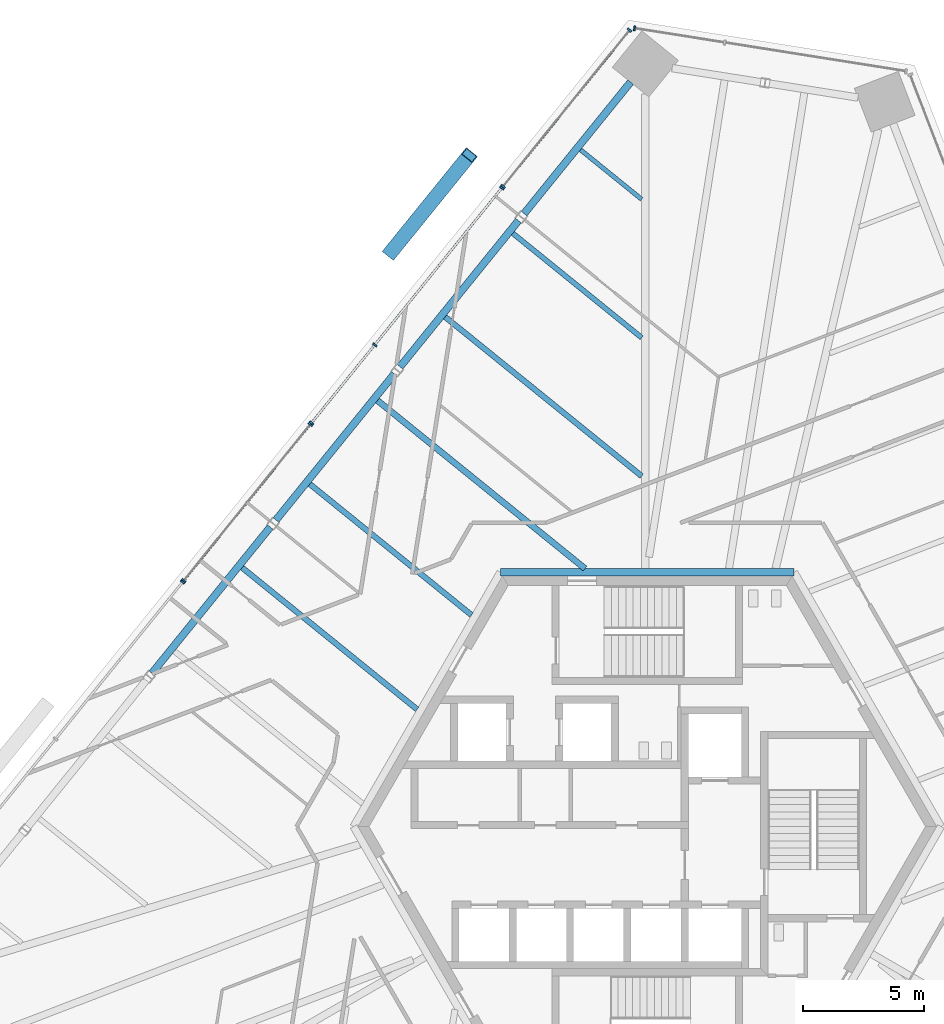
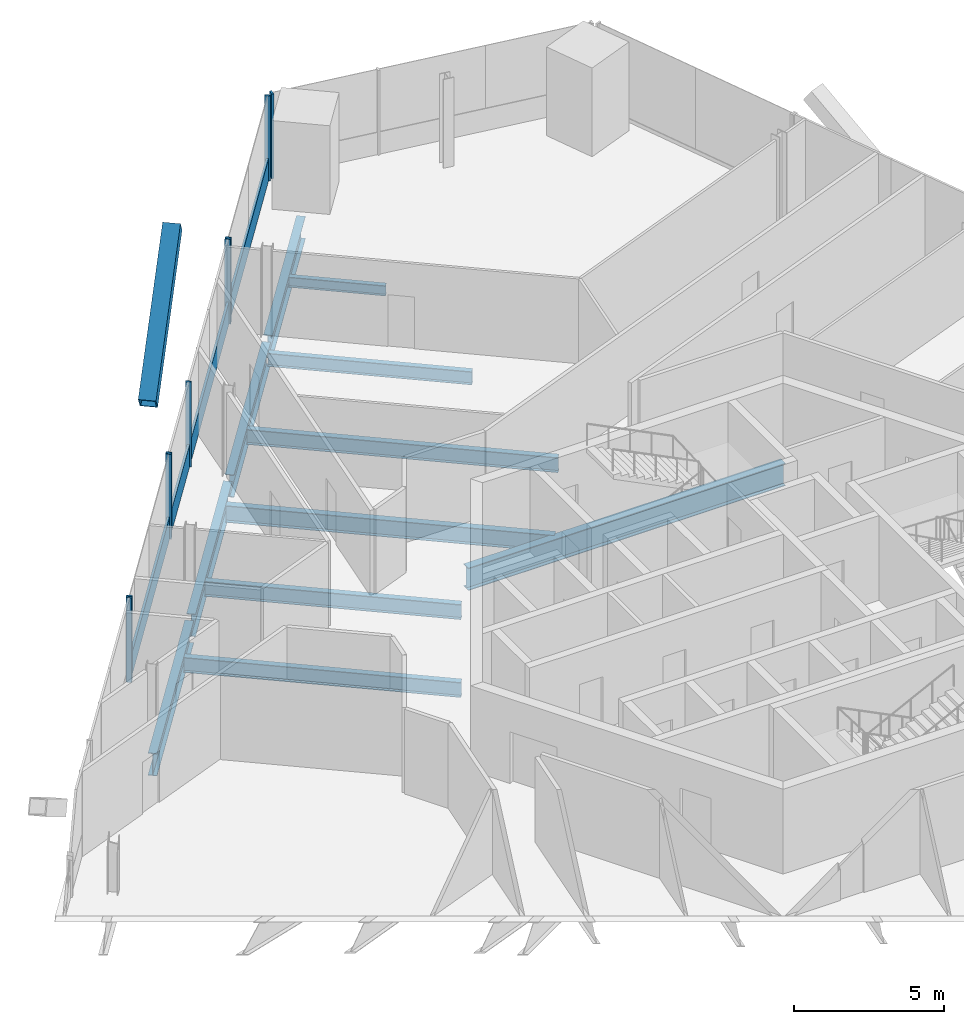
# One storey, part 8 of 19: 14 members, 11 beams, 5 elements without a shape of their own.
"""IFC4 building model written with IfcOpenShell, lengths in metres."""

from ifc_helpers import new_model, si_unit, direction, frame, origin, origin_2d, place, context, subcontext, project, spatial, rectangle, hollow_rectangle, i_section, extrude, source, transform, mapped, material, material_profile, profile_set, type_object, element, aggregate, save


model = new_model("IFC4")

# Units and contexts
model_context = context("Model", 3, precision=1e-05, world=origin(), true_north=direction((0.0, 1.0)))
body_context = subcontext(model_context, "Body", "Model", "MODEL_VIEW")
ifc_project = project(units=[si_unit("LENGTHUNIT", "METRE"), si_unit("AREAUNIT", "SQUARE_METRE"), si_unit("VOLUMEUNIT", "CUBIC_METRE"), si_unit("PLANEANGLEUNIT", "RADIAN"), si_unit("MASSUNIT", "GRAM", prefix="KILO")], contexts=[model_context])

# Site, building, storey
site_placement = place(None, origin())
site = spatial("IfcSite", under=ifc_project, at=site_placement, CompositionType="ELEMENT")
building_placement = place(site_placement, origin())
building = spatial("IfcBuilding", under=site, at=building_placement, Name="Triune Harvest Tower", CompositionType="ELEMENT")
storey_placement = place(building_placement, frame((0.0, 0.0, 164.10009765625)))
storey = spatial("IfcBuildingStorey", under=building, at=storey_placement, Name="L42", CompositionType="ELEMENT", Elevation=164.10009765625)

# Beams
ifc_material_1 = material(Name="Steel ASTM A992 Gr 50", Category="steel")
ifc_material_profile_1 = material_profile(ifc_material_1, i_section(OverallWidth=0.3046875, OverallDepth=0.914306640625, WebThickness=0.0166015625, FlangeThickness=0.02587890625, at=origin_2d()), Name="W36x160")
ifc_profile_set_1 = profile_set([ifc_material_profile_1], Name="Steel ASTM A992 Gr 50")
beam_type_1 = type_object("IfcBeamType", Name="CG-1 Core ring girder W36x160", PredefinedType="BEAM", material=ifc_profile_set_1)
shared_shape_1 = source(origin(), body_context, "Body", "SweptSolid", [
    extrude(i_section(OverallWidth=0.3046875, OverallDepth=0.914306640625, WebThickness=0.0166015625, FlangeThickness=0.02587890625, at=origin_2d()), origin(), (0.0, 0.0, 1.0), 12.17578125),
])
beam_1_placement = place(storey_placement, frame((6.087890625, 10.544677734375, -0.6171875), z_axis=(-1.0, 0.0, 0.0), x_axis=(0.0, -1.0, 0.0)))
element("IfcBeam", 1, at=beam_1_placement, inside=storey, type_object=beam_type_1, Name="beam/L42/CG2", PredefinedType="BEAM", context=body_context, shape_type="MappedRepresentation", body=[
    mapped(shared_shape_1, transform((0.0, 0.0, 0.0), scale=1.0)),
])
ifc_material_2 = material(Name="Steel ASTM A992 Gr 50", Category="steel")
ifc_material_profile_2 = material_profile(ifc_material_2, i_section(OverallWidth=0.3046875, OverallDepth=0.914306640625, WebThickness=0.0166015625, FlangeThickness=0.02587890625, at=origin_2d()), Name="W36x160")
ifc_profile_set_2 = profile_set([ifc_material_profile_2], Name="Steel ASTM A992 Gr 50")
beam_type_2 = type_object("IfcBeamType", Name="SB-1 Spandrel beam W36x160", PredefinedType="SPANDREL", material=ifc_profile_set_2)
shared_shape_2 = source(origin(), body_context, "Body", "SweptSolid", [
    extrude(i_section(OverallWidth=0.3046875, OverallDepth=0.914306640625, WebThickness=0.0166015625, FlangeThickness=0.02587890625, at=origin_2d()), origin(), (0.0, 0.0, 1.0), 7.013427734375),
])
beam_2_placement = place(storey_placement, frame((-0.69287109375, 30.8642578125, -0.6171875), z_axis=(-0.629311381255, -0.777153257358, 0.0), x_axis=(0.777153257358, -0.629311381255, 0.0)))
element("IfcBeam", 2, at=beam_2_placement, inside=storey, type_object=beam_type_2, Name="beam/L42/SB9", PredefinedType="SPANDREL", context=body_context, shape_type="MappedRepresentation", body=[
    mapped(shared_shape_2, transform((0.0, 0.0, 0.0), scale=1.0)),
])
shared_shape_3 = source(origin(), body_context, "Body", "SweptSolid", [
    extrude(i_section(OverallWidth=0.3046875, OverallDepth=0.914306640625, WebThickness=0.0166015625, FlangeThickness=0.02587890625, at=origin_2d()), origin(), (0.0, 0.0, 1.0), 7.801513671875),
])
for number, where, z_axis, x_axis, name in (
    (3, (-5.34130859375, 25.12353515625, -0.6171875), (-0.629351256413, -0.777120966163, 0.0), (0.777120966163, -0.629351256413, 0.0), "beam/L42/SB10"),
    (4, (-10.486083984375, 18.7705078125, -0.6171875), (-0.629317051779, -0.777148665533, 0.0), (0.777148665533, -0.629317051779, 0.0), "beam/L42/SB11"),
    (5, (-15.630859375, 12.417236328125, -0.6171875), (-0.629317051779, -0.777148665533, 0.0), (0.777148665533, -0.629317051779, 0.0), "beam/L42/SB12"),
):
    element("IfcBeam", number, at=place(storey_placement, frame(where, z_axis=z_axis, x_axis=x_axis)), inside=storey, type_object=beam_type_2, Name=name, PredefinedType="SPANDREL", context=body_context, shape_type="MappedRepresentation", body=[
        mapped(shared_shape_3, transform((0.0, 0.0, 0.0), scale=1.0)),
    ])
ifc_material_3 = material(Name="Steel ASTM A992 Gr 50", Category="steel")
ifc_material_profile_3 = material_profile(ifc_material_3, i_section(OverallWidth=0.22900390625, OverallDepth=0.612060546875, WebThickness=0.011962890625, FlangeThickness=0.01953125, at=origin_2d()), Name="W24x84")
ifc_profile_set_3 = profile_set([ifc_material_profile_3], Name="Steel ASTM A992 Gr 50")
beam_type_3 = type_object("IfcBeamType", Name="JT-3 Floor joist W24x84", PredefinedType="JOIST", material=ifc_profile_set_3)
shared_shape_4 = source(origin(), body_context, "Body", "SweptSolid", [
    extrude(i_section(OverallWidth=0.22900390625, OverallDepth=0.612060546875, WebThickness=0.011962890625, FlangeThickness=0.01953125, at=origin_2d()), origin(), (0.0, 0.0, 1.0), 10.482666015625),
])
beam_3_placement = place(storey_placement, frame((-8.37939453125, 21.1298828125, -0.46630859375), z_axis=(0.777144521909, -0.62932216874, 0.0), x_axis=(0.62932216874, 0.777144521909, 0.0)))
element("IfcBeam", 6, at=beam_3_placement, inside=storey, type_object=beam_type_3, Name="beam/L42/JT15", PredefinedType="JOIST", context=body_context, shape_type="MappedRepresentation", body=[
    mapped(shared_shape_4, transform((0.0, 0.0, 0.0), scale=1.0)),
])
ifc_material_4 = material(Name="Steel ASTM A992 Gr 50", Category="steel")
ifc_material_profile_4 = material_profile(ifc_material_4, i_section(OverallWidth=0.180908203125, OverallDepth=0.41650390625, WebThickness=0.010986328125, FlangeThickness=0.01806640625, at=origin_2d()), Name="W16x57")
ifc_profile_set_4 = profile_set([ifc_material_profile_4], Name="Steel ASTM A992 Gr 50")
beam_type_4 = type_object("IfcBeamType", Name="JT-1 Floor joist W16x57", PredefinedType="JOIST", material=ifc_profile_set_4)
shared_shape_5 = source(origin(), body_context, "Body", "SweptSolid", [
    extrude(i_section(OverallWidth=0.180908203125, OverallDepth=0.41650390625, WebThickness=0.010986328125, FlangeThickness=0.01806640625, at=origin_2d()), origin(), (0.0, 0.0, 1.0), 3.2607421875),
])
beam_4_placement = place(storey_placement, frame((-2.76708984375, 28.060546875, -0.368408203125), z_axis=(0.777166403411, -0.6292951465, 0.0), x_axis=(0.6292951465, 0.777166403411, 0.0)))
element("IfcBeam", 7, at=beam_4_placement, inside=storey, type_object=beam_type_4, Name="beam/L42/JT13", PredefinedType="JOIST", context=body_context, shape_type="MappedRepresentation", body=[
    mapped(shared_shape_5, transform((0.0, 0.0, 0.0), scale=1.0)),
])
ifc_material_5 = material(Name="Steel ASTM A992 Gr 50", Category="steel")
ifc_material_profile_5 = material_profile(ifc_material_5, i_section(OverallWidth=0.2099609375, OverallDepth=0.535888671875, WebThickness=0.010986328125, FlangeThickness=0.017333984375, at=origin_2d()), Name="W21x68")
ifc_profile_set_5 = profile_set([ifc_material_profile_5], Name="Steel ASTM A992 Gr 50")
beam_type_5 = type_object("IfcBeamType", Name="JT-2 Floor joist W21x68", PredefinedType="JOIST", material=ifc_profile_set_5)
shared_shape_6 = source(origin(), body_context, "Body", "SweptSolid", [
    extrude(i_section(OverallWidth=0.2099609375, OverallDepth=0.535888671875, WebThickness=0.010986328125, FlangeThickness=0.017333984375, at=origin_2d()), origin(), (0.0, 0.0, 1.0), 6.87158203125),
])
beam_5_placement = place(storey_placement, frame((-5.572998046875, 24.59521484375, -0.427978515625), z_axis=(0.777135642445, -0.629333133755, 0.0), x_axis=(0.629333133755, 0.777135642445, 0.0)))
element("IfcBeam", 8, at=beam_5_placement, inside=storey, type_object=beam_type_5, Name="beam/L42/JT14", PredefinedType="JOIST", context=body_context, shape_type="MappedRepresentation", body=[
    mapped(shared_shape_6, transform((0.0, 0.0, 0.0), scale=1.0)),
])
ifc_material_6 = material(Name="Steel ASTM A992 Gr 50", Category="steel")
ifc_material_profile_6 = material_profile(ifc_material_6, i_section(OverallWidth=0.253662109375, OverallDepth=0.683349609375, WebThickness=0.012451171875, FlangeThickness=0.01904296875, at=origin_2d()), Name="W27x94")
ifc_profile_set_6 = profile_set([ifc_material_profile_6], Name="Steel ASTM A992 Gr 50")
beam_type_6 = type_object("IfcBeamType", Name="JT-4 Floor joist W27x94", PredefinedType="JOIST", material=ifc_profile_set_6)
shared_shape_7 = source(origin(), body_context, "Body", "SweptSolid", [
    extrude(i_section(OverallWidth=0.253662109375, OverallDepth=0.683349609375, WebThickness=0.012451171875, FlangeThickness=0.01904296875, at=origin_2d()), origin(), (0.0, 0.0, 1.0), 11.0712890625),
])
beam_6_placement = place(storey_placement, frame((-11.185546875, 17.66455078125, -0.501708984375), z_axis=(0.777139586487, -0.6293282634, 0.0), x_axis=(0.6293282634, 0.777139586487, 0.0)))
element("IfcBeam", 9, at=beam_6_placement, inside=storey, type_object=beam_type_6, Name="beam/L42/JT16", PredefinedType="JOIST", context=body_context, shape_type="MappedRepresentation", body=[
    mapped(shared_shape_7, transform((0.0, 0.0, 0.0), scale=1.0)),
])
shared_shape_8 = source(origin(), body_context, "Body", "SweptSolid", [
    extrude(i_section(OverallWidth=0.22900390625, OverallDepth=0.612060546875, WebThickness=0.011962890625, FlangeThickness=0.01953125, at=origin_2d()), origin(), (0.0, 0.0, 1.0), 8.6259765625),
])
beam_7_placement = place(storey_placement, frame((-13.99169921875, 14.19921875, -0.46630859375), z_axis=(0.777146653343, -0.629319536641, 0.0), x_axis=(0.629319536641, 0.777146653343, 0.0)))
element("IfcBeam", 10, at=beam_7_placement, inside=storey, type_object=beam_type_3, Name="beam/L42/JT17", PredefinedType="JOIST", context=body_context, shape_type="MappedRepresentation", body=[
    mapped(shared_shape_8, transform((0.0, 0.0, 0.0), scale=1.0)),
])
shared_shape_9 = source(origin(), body_context, "Body", "SweptSolid", [
    extrude(i_section(OverallWidth=0.22900390625, OverallDepth=0.612060546875, WebThickness=0.011962890625, FlangeThickness=0.01953125, at=origin_2d()), origin(), (0.0, 0.0, 1.0), 9.33251953125),
])
beam_8_placement = place(storey_placement, frame((-16.798095703125, 10.73388671875, -0.46630859375), z_axis=(0.777149214732, -0.629316373568, 0.0), x_axis=(0.629316373568, 0.777149214732, 0.0)))
element("IfcBeam", 11, at=beam_8_placement, inside=storey, type_object=beam_type_3, Name="beam/L42/JT18", PredefinedType="JOIST", context=body_context, shape_type="MappedRepresentation", body=[
    mapped(shared_shape_9, transform((0.0, 0.0, 0.0), scale=1.0)),
])

# Member
ifc_material_7 = material(Name="Steel ASTM A572 Gr 50", Category="steel")
ifc_material_profile_7 = material_profile(ifc_material_7, hollow_rectangle(XDim=0.60009765625, YDim=0.60009765625, WallThickness=0.0400390625, at=origin_2d()), Name="Box 600x600x40")
ifc_profile_set_7 = profile_set([ifc_material_profile_7], Name="Steel ASTM A572 Gr 50")
member_type_1 = type_object("IfcMemberType", Name="BR-2 Brace Box 600x600x40", PredefinedType="BRACE", material=ifc_profile_set_7)
shared_shape_10 = source(origin(), body_context, "Body", "SweptSolid", [
    extrude(hollow_rectangle(XDim=0.60009765625, YDim=0.60009765625, WallThickness=0.0400390625, at=origin_2d()), origin(), (0.0, 0.0, 1.0), 6.329345703125),
])
member_1_placement = place(storey_placement, frame((-10.6533203125, 23.789794921875, 0.0), z_axis=(0.517617341966, 0.6392009072, 0.568765758051), x_axis=(-0.777144383745, 0.629322339357, 0.0)))
element("IfcMember", 12, at=member_1_placement, inside=storey, type_object=member_type_1, Name="brace/B4-F3/d2/8", PredefinedType="BRACE", context=body_context, shape_type="MappedRepresentation", body=[
    mapped(shared_shape_10, transform((0.0, 0.0, 0.0), scale=1.0)),
])

# Curtain wall, member
ifc_material_8 = material(Name="Aluminium bronze anodised", Category="aluminium")
curtain_wall_type_1 = type_object("IfcCurtainWallType", Name="CW-1 Tower stick curtain wall", PredefinedType="NOTDEFINED", material=ifc_material_8)
curtain_wall_1_placement = place(storey_placement, origin())
curtain_wall_1 = element("IfcCurtainWall", 13, at=curtain_wall_1_placement, inside=storey, type_object=curtain_wall_type_1, Name="CW-1 B4-F2 L42 run 1")
ifc_material_9 = material(Name="Aluminium bronze anodised", Category="aluminium")
ifc_material_profile_8 = material_profile(ifc_material_9, rectangle(XDim=0.199951171875, YDim=0.074951171875, at=origin_2d()), Name="MU-1 mullion 75 x 200")
ifc_profile_set_8 = profile_set([ifc_material_profile_8], Name="Aluminium bronze anodised")
member_type_2 = type_object("IfcMemberType", Name="MU-1 mullion 75 x 200", PredefinedType="MULLION", material=ifc_profile_set_8)
shared_shape_11 = source(origin(), body_context, "Body", "SweptSolid", [
    extrude(rectangle(XDim=0.199951171875, YDim=0.074951171875, at=origin_2d()), origin(), (0.0, 0.0, 1.0), 3.43994140625),
])
member_2_placement = place(storey_placement, frame((-0.528076171875, 33.09912109375, 0.0), z_axis=(0.0, 0.0, 1.0), x_axis=(-0.156432728322, -0.987688615663, 0.0)))
member_2 = element("IfcMember", 14, at=member_2_placement, type_object=member_type_2, Name="CW-1 mullion B4-F2 1.4", PredefinedType="MULLION", context=body_context, shape_type="MappedRepresentation", body=[
    mapped(shared_shape_11, transform((0.0, 0.0, 0.0), scale=1.0)),
])
aggregate(curtain_wall_1, [member_2])

# Curtain wall, members
curtain_wall_2_placement = place(storey_placement, origin())
curtain_wall_2 = element("IfcCurtainWall", 15, at=curtain_wall_2_placement, inside=storey, type_object=curtain_wall_type_1, Name="CW-1 B4-F3 L42 run 1")
member_3_placement = place(storey_placement, frame((-0.734130859375, 33.02001953125, 0.0), z_axis=(0.0, 0.0, 1.0), x_axis=(0.777142947484, -0.629324112978, 0.0)))
member_3 = element("IfcMember", 16, at=member_3_placement, type_object=member_type_2, Name="CW-1 mullion B4-F3 1.1", PredefinedType="MULLION", context=body_context, shape_type="MappedRepresentation", body=[
    mapped(shared_shape_11, transform((0.0, 0.0, 0.0), scale=1.0)),
])
member_4_placement = place(storey_placement, frame((-5.98095703125, 26.54052734375, 0.0), z_axis=(0.0, 0.0, 1.0), x_axis=(0.777142947484, -0.629324112978, 0.0)))
member_4 = element("IfcMember", 17, at=member_4_placement, type_object=member_type_2, Name="CW-1 mullion B4-F3 1.3", PredefinedType="MULLION", context=body_context, shape_type="MappedRepresentation", body=[
    mapped(shared_shape_11, transform((0.0, 0.0, 0.0), scale=1.0)),
])

ifc_material_10 = material(Name="Aluminium bronze anodised", Category="aluminium")
curtain_wall_type_2 = type_object("IfcCurtainWallType", Name="CW-7 Tower stick curtain wall with insulated spandrel infill", PredefinedType="NOTDEFINED", material=ifc_material_10)
curtain_wall_3_placement = place(storey_placement, origin())
curtain_wall_3 = element("IfcCurtainWall", 18, at=curtain_wall_3_placement, inside=storey, type_object=curtain_wall_type_2, Name="CW-7 B4-F3 L42 run 1001")
member_5_placement = place(storey_placement, frame((-6.0283203125, 26.482421875, 0.0), z_axis=(0.0, 0.0, 1.0), x_axis=(0.777145386459, -0.629321101112, 0.0)))
member_5 = element("IfcMember", 19, at=member_5_placement, type_object=member_type_2, Name="CW-7 mullion B4-F3 1001.1", PredefinedType="MULLION", context=body_context, shape_type="MappedRepresentation", body=[
    mapped(shared_shape_11, transform((0.0, 0.0, 0.0), scale=1.0)),
])
member_6_placement = place(storey_placement, frame((-11.298583984375, 19.973876953125, 0.0), z_axis=(0.0, 0.0, 1.0), x_axis=(0.777145386459, -0.629321101112, 0.0)))
member_6 = element("IfcMember", 20, at=member_6_placement, type_object=member_type_2, Name="CW-7 mullion B4-F3 1001.3", PredefinedType="MULLION", context=body_context, shape_type="MappedRepresentation", body=[
    mapped(shared_shape_11, transform((0.0, 0.0, 0.0), scale=1.0)),
])
member_7_placement = place(storey_placement, frame((-13.922119140625, 16.734375, 0.0), z_axis=(0.0, 0.0, 1.0), x_axis=(0.777145386459, -0.629321101112, 0.0)))
member_7 = element("IfcMember", 21, at=member_7_placement, type_object=member_type_2, Name="CW-7 mullion B4-F3 1001.4", PredefinedType="MULLION", context=body_context, shape_type="MappedRepresentation", body=[
    mapped(shared_shape_11, transform((0.0, 0.0, 0.0), scale=1.0)),
])

curtain_wall_4_placement = place(storey_placement, origin())
curtain_wall_4 = element("IfcCurtainWall", 22, at=curtain_wall_4_placement, inside=storey, type_object=curtain_wall_type_1, Name="CW-1 B4-F3 L42 run 2001")
member_8_placement = place(storey_placement, frame((-13.96923828125, 16.676025390625, 0.0), z_axis=(0.0, 0.0, 1.0), x_axis=(0.777148525071, -0.629317225237, 0.0)))
member_8 = element("IfcMember", 23, at=member_8_placement, type_object=member_type_2, Name="CW-1 mullion B4-F3 2001.1", PredefinedType="MULLION", context=body_context, shape_type="MappedRepresentation", body=[
    mapped(shared_shape_11, transform((0.0, 0.0, 0.0), scale=1.0)),
])
member_9_placement = place(storey_placement, frame((-19.216064453125, 10.19677734375, 0.0), z_axis=(0.0, 0.0, 1.0), x_axis=(0.777148525071, -0.629317225237, 0.0)))
member_9 = element("IfcMember", 24, at=member_9_placement, type_object=member_type_2, Name="CW-1 mullion B4-F3 2001.3", PredefinedType="MULLION", context=body_context, shape_type="MappedRepresentation", body=[
    mapped(shared_shape_11, transform((0.0, 0.0, 0.0), scale=1.0)),
])

# Curtain wall, member
curtain_wall_5_placement = place(storey_placement, origin())
curtain_wall_5 = element("IfcCurtainWall", 25, at=curtain_wall_5_placement, inside=storey, type_object=curtain_wall_type_2, Name="CW-7 B4-F3 L42 run 3001")
member_10_placement = place(storey_placement, frame((-19.26318359375, 10.138427734375, 0.0), z_axis=(0.0, 0.0, 1.0), x_axis=(0.777145386459, -0.629321101112, 0.0)))
member_10 = element("IfcMember", 26, at=member_10_placement, type_object=member_type_2, Name="CW-7 mullion B4-F3 3001.1", PredefinedType="MULLION", context=body_context, shape_type="MappedRepresentation", body=[
    mapped(shared_shape_11, transform((0.0, 0.0, 0.0), scale=1.0)),
])
aggregate(curtain_wall_5, [member_10])

# Member
ifc_material_11 = material(Name="Aluminium bronze anodised", Category="aluminium")
ifc_material_profile_9 = material_profile(ifc_material_11, rectangle(XDim=0.090087890625, YDim=0.89990234375, at=origin_2d()), Name="TR-1 transom 90 x 900")
ifc_profile_set_9 = profile_set([ifc_material_profile_9], Name="Aluminium bronze anodised")
member_type_3 = type_object("IfcMemberType", Name="TR-1 transom 90 x 900", PredefinedType="USERDEFINED", material=ifc_profile_set_9)
shared_shape_12 = source(origin(), body_context, "Body", "SweptSolid", [
    extrude(rectangle(XDim=0.090087890625, YDim=0.89990234375, at=origin_2d()), origin(), (0.0, 0.0, 1.0), 8.299560546875),
])
member_11_placement = place(storey_placement, frame((-6.0517578125, 26.453125, 0.449951171875), z_axis=(-0.629325998453, -0.777141420638, 0.0), x_axis=(0.777141420638, -0.629325998453, 0.0)))
member_11 = element("IfcMember", 27, at=member_11_placement, type_object=member_type_3, Name="CW-7 transom B4-F3 1001.1", ObjectType="TRANSOM", PredefinedType="USERDEFINED", context=body_context, shape_type="MappedRepresentation", body=[
    mapped(shared_shape_12, transform((0.0, 0.0, 0.0), scale=1.0)),
])

shared_shape_13 = source(origin(), body_context, "Body", "SweptSolid", [
    extrude(rectangle(XDim=0.090087890625, YDim=0.89990234375, at=origin_2d()), origin(), (0.0, 0.0, 1.0), 8.26220703125),
])
member_12_placement = place(storey_placement, frame((-0.7578125, 32.99072265625, 0.449951171875), z_axis=(-0.629332525108, -0.777136135334, 0.0), x_axis=(0.777136135334, -0.629332525108, 0.0)))
member_12 = element("IfcMember", 28, at=member_12_placement, type_object=member_type_3, Name="CW-1 transom B4-F3 1.1", ObjectType="TRANSOM", PredefinedType="USERDEFINED", context=body_context, shape_type="MappedRepresentation", body=[
    mapped(shared_shape_13, transform((0.0, 0.0, 0.0), scale=1.0)),
])

aggregate(curtain_wall_2, [member_3, member_4, member_12])

member_13_placement = place(storey_placement, frame((-13.992919921875, 16.64697265625, 0.449951171875), z_axis=(-0.629300227234, -0.77716228936, 0.0), x_axis=(0.77716228936, -0.629300227234, 0.0)))
member_13 = element("IfcMember", 29, at=member_13_placement, type_object=member_type_3, Name="CW-1 transom B4-F3 2001.1", ObjectType="TRANSOM", PredefinedType="USERDEFINED", context=body_context, shape_type="MappedRepresentation", body=[
    mapped(shared_shape_13, transform((0.0, 0.0, 0.0), scale=1.0)),
])

aggregate(curtain_wall_4, [member_8, member_9, member_13])

shared_shape_14 = source(origin(), body_context, "Body", "SweptSolid", [
    extrude(rectangle(XDim=0.090087890625, YDim=0.89990234375, at=origin_2d()), origin(), (0.0, 0.0, 1.0), 4.09375),
])
member_14_placement = place(storey_placement, frame((-11.322265625, 19.94482421875, 0.449951171875), z_axis=(-0.629309738777, -0.777154587377, 0.0), x_axis=(0.777154587377, -0.629309738777, 0.0)))
member_14 = element("IfcMember", 30, at=member_14_placement, type_object=member_type_3, Name="CW-7 transom B4-F3 1001.2", ObjectType="TRANSOM", PredefinedType="USERDEFINED", context=body_context, shape_type="MappedRepresentation", body=[
    mapped(shared_shape_14, transform((0.0, 0.0, 0.0), scale=1.0)),
])

aggregate(curtain_wall_3, [member_5, member_6, member_7, member_11, member_14])

save(model, "model.ifc")
